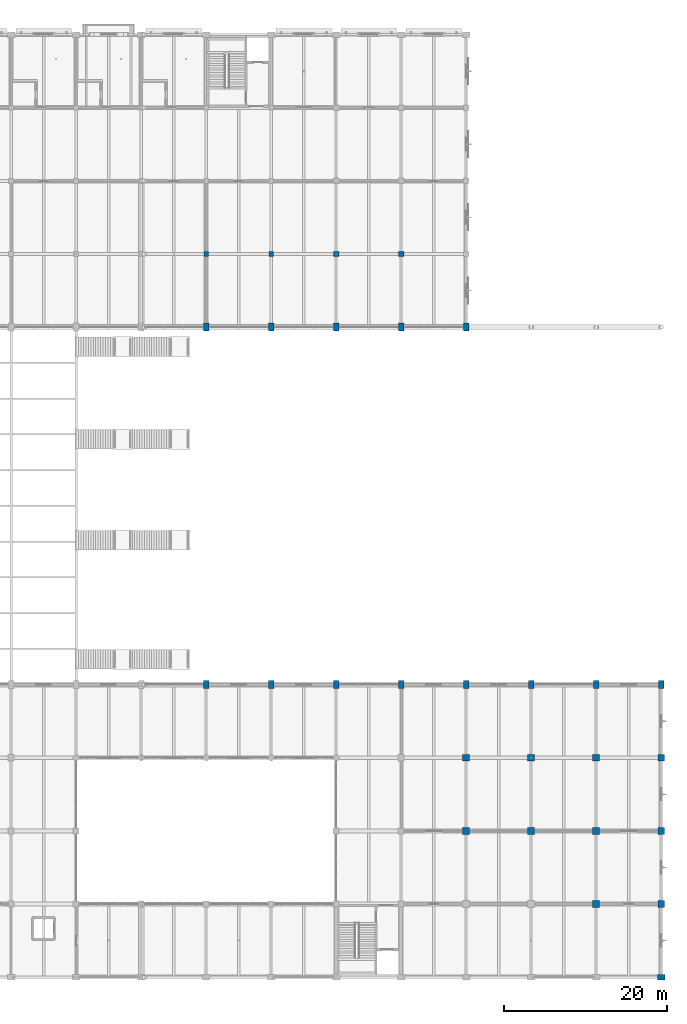
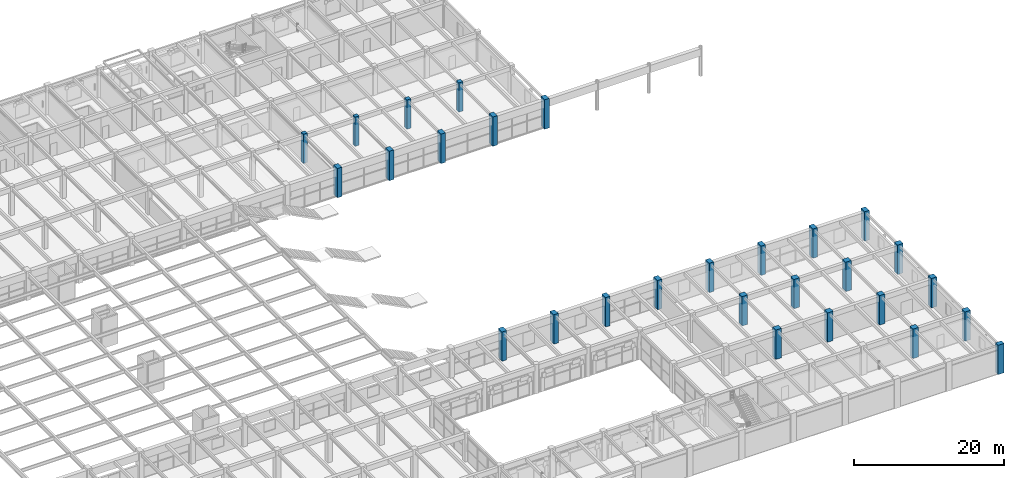
# One storey, part 5 of 144: 28 columns.
"""IFC4 building model written with IfcOpenShell, lengths in metres."""

from ifc_helpers import new_model, si_unit, direction, frame, origin, origin_2d, place, context, subcontext, project, spatial, rectangle, extrude, material, material_profile, profile_set, type_object, element, save


model = new_model("IFC4")

# Units and contexts
model_context = context("Model", 3, precision=1e-05, world=origin(), true_north=direction((0.0, 1.0)))
body_context = subcontext(model_context, "Body", "Model", "MODEL_VIEW")
ifc_project = project(units=[si_unit("LENGTHUNIT", "METRE"), si_unit("AREAUNIT", "SQUARE_METRE"), si_unit("VOLUMEUNIT", "CUBIC_METRE"), si_unit("PLANEANGLEUNIT", "RADIAN"), si_unit("MASSUNIT", "GRAM", prefix="KILO")], contexts=[model_context])

# Site, building, storey
site_placement = place(None, origin())
site = spatial("IfcSite", under=ifc_project, at=site_placement, CompositionType="ELEMENT")
building_placement = place(site_placement, origin())
building = spatial("IfcBuilding", under=site, at=building_placement, Name="Varnabhumi Central Station", CompositionType="ELEMENT")
storey_placement = place(building_placement, frame((0.0, 0.0, 4.800048828125)))
storey = spatial("IfcBuildingStorey", under=building, at=storey_placement, Name="L01", CompositionType="ELEMENT", Elevation=4.800048828125)

# Columns
ifc_material_1 = material(Name="Concrete M40", Category="concrete")
ifc_material_profile_1 = material_profile(ifc_material_1, rectangle(XDim=0.60009765625, YDim=0.60009765625, at=origin_2d()), Name="Concrete M40", Category="concrete")
ifc_profile_set_1 = profile_set([ifc_material_profile_1], Name="Concrete M40")
column_type_1 = type_object("IfcColumnType", Name="COL-NORTH-600", PredefinedType="COLUMN", material=ifc_profile_set_1)
for number, where, z_axis, x_axis, name in (
    (1, (128.0, 89.0, 0.0), (0.0, 0.0, 1.0), (1.0, 0.0, 0.0), "Column L01-17L"),
    (2, (136.0, 89.0, 0.0), (0.0, 0.0, 1.0), (1.0, 0.0, 0.0), "Column L01-18L"),
):
    element("IfcColumn", number, at=place(storey_placement, frame(where, z_axis=z_axis, x_axis=x_axis)), inside=storey, type_object=column_type_1, Name=name, PredefinedType="COLUMN", context=body_context, shape_type="SweptSolid", body=[
        extrude(rectangle(XDim=0.60009765625, YDim=0.60009765625, at=origin_2d()), origin(), (0.0, 0.0, 1.0), 4.800048828125),
    ])
ifc_material_profile_2 = material_profile(ifc_material_1, rectangle(XDim=0.64990234375, YDim=0.64990234375, at=origin_2d()), Name="Concrete M40", Category="concrete")
ifc_profile_set_2 = profile_set([ifc_material_profile_2], Name="Concrete M40")
column_type_2 = type_object("IfcColumnType", Name="COL-RC-650", PredefinedType="COLUMN", material=ifc_profile_set_2)
for number, where, z_axis, x_axis, name in (
    (3, (144.0, 89.0, 0.0), (0.0, 0.0, 1.0), (1.0, 0.0, 0.0), "Column L01-19L"),
    (4, (152.0, 89.0, 0.0), (0.0, 0.0, 1.0), (1.0, 0.0, 0.0), "Column L01-20L"),
):
    element("IfcColumn", number, at=place(storey_placement, frame(where, z_axis=z_axis, x_axis=x_axis)), inside=storey, type_object=column_type_2, Name=name, PredefinedType="COLUMN", context=body_context, shape_type="SweptSolid", body=[
        extrude(rectangle(XDim=0.64990234375, YDim=0.64990234375, at=origin_2d()), origin(), (0.0, 0.0, 1.0), 4.800048828125),
    ])
ifc_material_2 = material(Name="Concrete M50", Category="concrete")
ifc_material_profile_3 = material_profile(ifc_material_2, rectangle(XDim=0.85009765625, YDim=0.85009765625, at=origin_2d()), Name="Concrete M50", Category="concrete")
ifc_profile_set_3 = profile_set([ifc_material_profile_3], Name="Concrete M50")
column_type_3 = type_object("IfcColumnType", Name="COL-RC-850", PredefinedType="COLUMN", material=ifc_profile_set_3)
for number, where, z_axis, x_axis, name in (
    (5, (160.0, 18.0, 0.0), (0.0, 0.0, 1.0), (1.0, 0.0, 0.0), "Column L01-21C"),
    (6, (160.0, 27.0, 0.0), (0.0, 0.0, 1.0), (1.0, 0.0, 0.0), "Column L01-21D"),
    (7, (168.0, 18.0, 0.0), (0.0, 0.0, 1.0), (1.0, 0.0, 0.0), "Column L01-22C"),
    (8, (168.0, 27.0, 0.0), (0.0, 0.0, 1.0), (1.0, 0.0, 0.0), "Column L01-22D"),
    (9, (176.0, 9.0, 0.0), (0.0, 0.0, 1.0), (1.0, 0.0, 0.0), "Column L01-23B"),
    (10, (176.0, 18.0, 0.0), (0.0, 0.0, 1.0), (1.0, 0.0, 0.0), "Column L01-23C"),
    (11, (176.0, 27.0, 0.0), (0.0, 0.0, 1.0), (1.0, 0.0, 0.0), "Column L01-23D"),
    (12, (184.0, 9.0, 0.0), (0.0, 0.0, 1.0), (1.0, 0.0, 0.0), "Column L01-24B"),
    (13, (184.0, 18.0, 0.0), (0.0, 0.0, 1.0), (1.0, 0.0, 0.0), "Column L01-24C"),
    (14, (184.0, 27.0, 0.0), (0.0, 0.0, 1.0), (1.0, 0.0, 0.0), "Column L01-24D"),
):
    element("IfcColumn", number, at=place(storey_placement, frame(where, z_axis=z_axis, x_axis=x_axis)), inside=storey, type_object=column_type_3, Name=name, PredefinedType="COLUMN", context=body_context, shape_type="SweptSolid", body=[
        extrude(rectangle(XDim=0.85009765625, YDim=0.85009765625, at=origin_2d()), origin(), (0.0, 0.0, 1.0), 4.800048828125),
    ])
ifc_material_profile_4 = material_profile(ifc_material_1, rectangle(XDim=0.89990234375, YDim=0.699951171875, at=origin_2d()), Name="Concrete M40", Category="concrete")
ifc_profile_set_4 = profile_set([ifc_material_profile_4], Name="Concrete M40")
column_type_4 = type_object("IfcColumnType", Name="COL-RC-900x700", PredefinedType="PILASTER", material=ifc_profile_set_4)
column_placement = place(storey_placement, frame((184.0, 0.0, 0.0), z_axis=(0.0, 0.0, 1.0), x_axis=(1.0, 0.0, 0.0)))
element("IfcColumn", 15, at=column_placement, inside=storey, type_object=column_type_4, Name="Column L01-24A", PredefinedType="PILASTER", context=body_context, shape_type="SweptSolid", body=[
    extrude(rectangle(XDim=0.89990234375, YDim=0.699951171875, at=origin_2d()), origin(), (0.0, 0.0, 1.0), 4.800048828125),
])
ifc_material_profile_5 = material_profile(ifc_material_2, rectangle(XDim=0.699951171875, YDim=1.0, at=origin_2d()), Name="Concrete M50", Category="concrete")
ifc_profile_set_5 = profile_set([ifc_material_profile_5], Name="Concrete M50")
column_type_5 = type_object("IfcColumnType", Name="COL-SPINE-M50-1000x700", PredefinedType="COLUMN", material=ifc_profile_set_5)
for number, where, z_axis, x_axis, name in (
    (16, (128.0, 36.0, 0.0), (0.0, 0.0, 1.0), (1.0, 0.0, 0.0), "Column L01-17E"),
    (17, (128.0, 80.0, 0.0), (0.0, 0.0, 1.0), (1.0, 0.0, 0.0), "Column L01-17K"),
    (18, (136.0, 36.0, 0.0), (0.0, 0.0, 1.0), (1.0, 0.0, 0.0), "Column L01-18E"),
    (19, (136.0, 80.0, 0.0), (0.0, 0.0, 1.0), (1.0, 0.0, 0.0), "Column L01-18K"),
    (20, (144.0, 36.0, 0.0), (0.0, 0.0, 1.0), (1.0, 0.0, 0.0), "Column L01-19E"),
    (21, (144.0, 80.0, 0.0), (0.0, 0.0, 1.0), (1.0, 0.0, 0.0), "Column L01-19K"),
    (22, (152.0, 36.0, 0.0), (0.0, 0.0, 1.0), (1.0, 0.0, 0.0), "Column L01-20E"),
    (23, (152.0, 80.0, 0.0), (0.0, 0.0, 1.0), (1.0, 0.0, 0.0), "Column L01-20K"),
    (24, (160.0, 36.0, 0.0), (0.0, 0.0, 1.0), (1.0, 0.0, 0.0), "Column L01-21E"),
    (25, (160.0, 80.0, 0.0), (0.0, 0.0, 1.0), (1.0, 0.0, 0.0), "Column L01-21K"),
    (26, (168.0, 36.0, 0.0), (0.0, 0.0, 1.0), (1.0, 0.0, 0.0), "Column L01-22E"),
    (27, (176.0, 36.0, 0.0), (0.0, 0.0, 1.0), (1.0, 0.0, 0.0), "Column L01-23E"),
    (28, (184.0, 36.0, 0.0), (0.0, 0.0, 1.0), (1.0, 0.0, 0.0), "Column L01-24E"),
):
    element("IfcColumn", number, at=place(storey_placement, frame(where, z_axis=z_axis, x_axis=x_axis)), inside=storey, type_object=column_type_5, Name=name, PredefinedType="COLUMN", context=body_context, shape_type="SweptSolid", body=[
        extrude(rectangle(XDim=0.699951171875, YDim=1.0, at=origin_2d()), origin(), (0.0, 0.0, 1.0), 4.800048828125),
    ])

save(model, "model.ifc")
